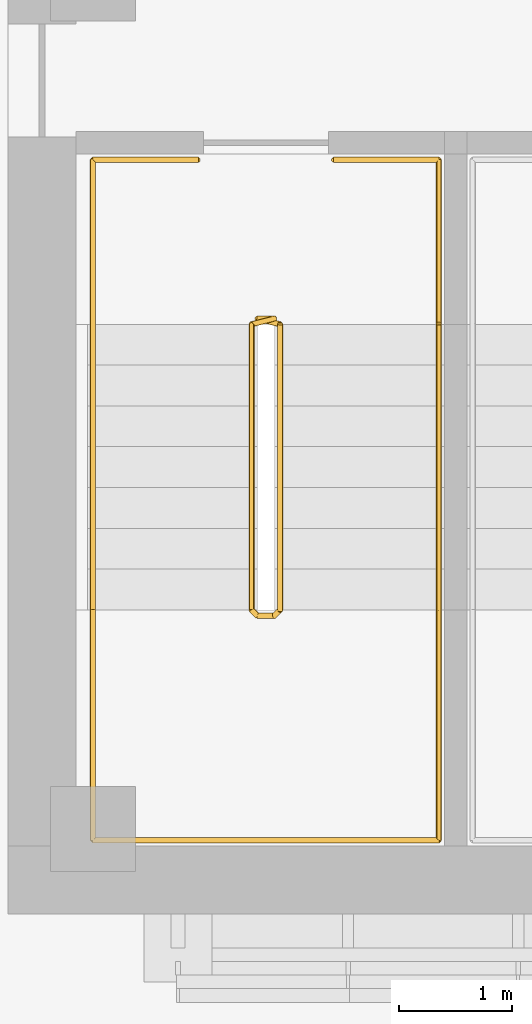
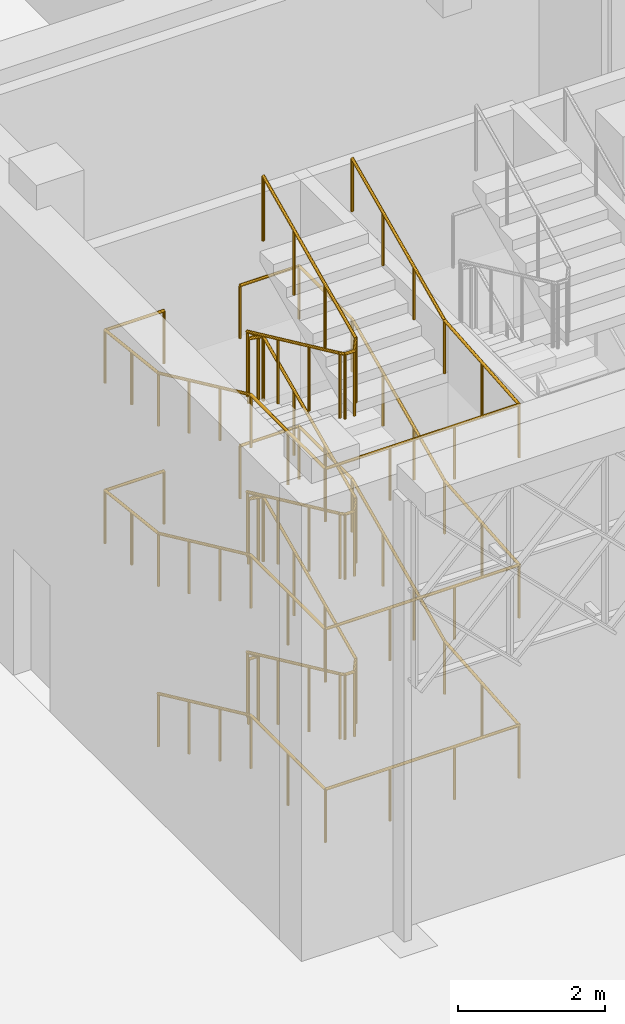
# One storey, part 46 of 64: 4 railings.
"""IFC4 building model written with IfcOpenShell, lengths in metres."""

from ifc_helpers import new_model, si_unit, direction, frame, origin, origin_2d, place, context, subcontext, project, spatial, circle, extrude, material, type_object, element, save


model = new_model("IFC4")

# Units and contexts
model_context = context("Model", 3, precision=1e-05, world=origin(), true_north=direction((0.0, 1.0)))
body_context = subcontext(model_context, "Body", "Model", "MODEL_VIEW")
ifc_project = project(units=[si_unit("LENGTHUNIT", "METRE"), si_unit("AREAUNIT", "SQUARE_METRE"), si_unit("VOLUMEUNIT", "CUBIC_METRE"), si_unit("PLANEANGLEUNIT", "RADIAN"), si_unit("MASSUNIT", "GRAM", prefix="KILO")], contexts=[model_context])

# Site, building, storey
site_placement = place(None, origin())
site = spatial("IfcSite", under=ifc_project, at=site_placement, CompositionType="ELEMENT")
building_placement = place(site_placement, origin())
building = spatial("IfcBuilding", under=site, at=building_placement, Name="Tessera Arch", CompositionType="ELEMENT")
storey_placement = place(building_placement, origin())
storey = spatial("IfcBuildingStorey", under=building, at=storey_placement, Name="L00", CompositionType="ELEMENT", Elevation=0.0)

# Railings
ifc_material_1 = material(Name="Painted steel balustrade", Category="steel")
railing_type_1 = type_object("IfcRailingType", Name="Stair guard 1100", PredefinedType="GUARDRAIL", material=ifc_material_1)
railing_1_placement = place(storey_placement, frame((-30.35009765625, -27.300048828125, 0.0)))
element("IfcRailing", 1, at=railing_1_placement, inside=storey, type_object=railing_type_1, Name="L00 M2a stair guard 1", PredefinedType="GUARDRAIL", context=body_context, shape_type="SweptSolid", body=[
    extrude(circle(Radius=0.02392578125, at=origin_2d()), frame((-0.00390625, 0.0, 1.076171875), z_axis=(1.0, 0.0, 0.0), x_axis=(0.0, 1.0, 0.0)), (0.0, 0.0, 1.0), 0.158203125),
    extrude(circle(Radius=0.02392578125, at=origin_2d()), frame((0.153076171875, 0.000732421875, 1.073486328125), z_axis=(-0.754182335027, -0.188775798145, 0.628945707965), x_axis=(0.242814311512, -0.970072785993, 0.0)), (0.0, 0.0, 1.0), 0.273193359375),
    extrude(circle(Radius=0.02392578125, at=origin_2d()), frame((-0.0498046875, -0.04638671875, 1.2412109375), z_axis=(0.0, -0.907490492863, 0.420072619153), x_axis=(1.0, 0.0, 0.0)), (0.0, 0.0, 1.0), 2.784912109375),
    extrude(circle(Radius=0.02392578125, at=origin_2d()), frame((-0.052734375, -2.567138671875, 2.4091796875), z_axis=(0.707106781187, -0.707106781187, 0.0), x_axis=(0.707106781187, 0.707106781187, 0.0)), (0.0, 0.0, 1.0), 0.078369140625),
    extrude(circle(Radius=0.02392578125, at=origin_2d()), frame((-0.00390625, -2.619873046875, 2.4091796875), z_axis=(1.0, 0.0, 0.0), x_axis=(0.0, 1.0, 0.0)), (0.0, 0.0, 1.0), 0.158203125),
    extrude(circle(Radius=0.02392578125, at=origin_2d()), frame((0.14892578125, -2.62109375, 2.405517578125), z_axis=(0.276389281352, 0.275041040955, 0.920848191041), x_axis=(-0.705375805398, 0.708833529934, 0.0)), (0.0, 0.0, 1.0), 0.18896484375),
    extrude(circle(Radius=0.02392578125, at=origin_2d()), frame((0.2001953125, -2.57373046875, 2.574462890625), z_axis=(0.0, 0.907456975791, 0.420145019115), x_axis=(-1.0, 0.0, 0.0)), (0.0, 0.0, 1.0), 2.784912109375),
    extrude(circle(Radius=0.02392578125, at=origin_2d()), frame((0.2041015625, -0.051025390625, 3.74267578125), z_axis=(-0.970142500145, 0.242535625036, 0.0), x_axis=(-0.242535625036, -0.970142500145, 0.0)), (0.0, 0.0, 1.0), 0.21435546875),
    extrude(circle(Radius=0.02392578125, at=origin_2d()), frame((-0.00390625, 0.0, 3.74267578125), z_axis=(1.0, 0.0, 0.0), x_axis=(0.0, 1.0, 0.0)), (0.0, 0.0, 1.0), 0.158203125),
    extrude(circle(Radius=0.02392578125, at=origin_2d()), frame((0.153076171875, 0.000732421875, 3.740234375), z_axis=(-0.754619193878, -0.188885146209, 0.628388632753), x_axis=(0.242814311512, -0.970072785993, 0.0)), (0.0, 0.0, 1.0), 0.27294921875),
    extrude(circle(Radius=0.02392578125, at=origin_2d()), frame((-0.0498046875, -0.04638671875, 3.90771484375), z_axis=(0.0, -0.907456975791, 0.420145019115), x_axis=(1.0, 0.0, 0.0)), (0.0, 0.0, 1.0), 2.784912109375),
    extrude(circle(Radius=0.02392578125, at=origin_2d()), frame((-0.052734375, -2.567138671875, 5.076171875), z_axis=(0.707106781187, -0.707106781187, 0.0), x_axis=(0.707106781187, 0.707106781187, 0.0)), (0.0, 0.0, 1.0), 0.078369140625),
    extrude(circle(Radius=0.02392578125, at=origin_2d()), frame((-0.00390625, -2.619873046875, 5.076171875), z_axis=(1.0, 0.0, 0.0), x_axis=(0.0, 1.0, 0.0)), (0.0, 0.0, 1.0), 0.158203125),
    extrude(circle(Radius=0.02392578125, at=origin_2d()), frame((0.14892578125, -2.62109375, 5.072265625), z_axis=(0.276389281352, 0.275041040955, 0.920848191041), x_axis=(-0.705375805398, 0.708833529934, 0.0)), (0.0, 0.0, 1.0), 0.18896484375),
    extrude(circle(Radius=0.02392578125, at=origin_2d()), frame((0.2001953125, -2.57373046875, 5.2412109375), z_axis=(0.0, 0.907490492863, 0.420072619153), x_axis=(-1.0, 0.0, 0.0)), (0.0, 0.0, 1.0), 2.784912109375),
    extrude(circle(Radius=0.02392578125, at=origin_2d()), frame((0.2041015625, -0.051025390625, 6.4091796875), z_axis=(-0.970142500145, 0.242535625036, 0.0), x_axis=(-0.242535625036, -0.970142500145, 0.0)), (0.0, 0.0, 1.0), 0.21435546875),
    extrude(circle(Radius=0.02392578125, at=origin_2d()), frame((-0.00390625, 0.0, 6.4091796875), z_axis=(1.0, 0.0, 0.0), x_axis=(0.0, 1.0, 0.0)), (0.0, 0.0, 1.0), 0.158203125),
    extrude(circle(Radius=0.02392578125, at=origin_2d()), frame((0.153076171875, 0.000732421875, 6.40673828125), z_axis=(-0.754182335027, -0.188775798145, 0.628945707965), x_axis=(0.242814311512, -0.970072785993, 0.0)), (0.0, 0.0, 1.0), 0.273193359375),
    extrude(circle(Radius=0.02392578125, at=origin_2d()), frame((-0.0498046875, -0.04638671875, 6.574462890625), z_axis=(0.0, -0.907456975791, 0.420145019115), x_axis=(1.0, 0.0, 0.0)), (0.0, 0.0, 1.0), 2.784912109375),
    extrude(circle(Radius=0.02392578125, at=origin_2d()), frame((-0.052734375, -2.567138671875, 7.74267578125), z_axis=(0.707106781187, -0.707106781187, 0.0), x_axis=(0.707106781187, 0.707106781187, 0.0)), (0.0, 0.0, 1.0), 0.078369140625),
    extrude(circle(Radius=0.02392578125, at=origin_2d()), frame((-0.00390625, -2.619873046875, 7.74267578125), z_axis=(1.0, 0.0, 0.0), x_axis=(0.0, 1.0, 0.0)), (0.0, 0.0, 1.0), 0.158203125),
    extrude(circle(Radius=0.02392578125, at=origin_2d()), frame((0.14892578125, -2.62109375, 7.739013671875), z_axis=(0.276732813696, 0.275382897532, 0.920642824102), x_axis=(-0.705375805398, 0.708833529934, 0.0)), (0.0, 0.0, 1.0), 0.18896484375),
    extrude(circle(Radius=0.02392578125, at=origin_2d()), frame((0.2001953125, -2.57373046875, 7.90771484375), z_axis=(0.0, 0.907456975791, 0.420145019115), x_axis=(-1.0, 0.0, 0.0)), (0.0, 0.0, 1.0), 2.784912109375),
    extrude(circle(Radius=0.02099609375, at=origin_2d()), origin(), (0.0, 0.0, 1.0), 1.06396484375),
    extrude(circle(Radius=0.02099609375, at=origin_2d()), frame((0.150146484375, 0.0, 0.0)), (0.0, 0.0, 1.0), 1.06396484375),
    extrude(circle(Radius=0.02099609375, at=origin_2d()), frame((-0.0498046875, -0.050048828125, 0.166748046875)), (0.0, 0.0, 1.0), 1.06396484375),
    extrude(circle(Radius=0.02099609375, at=origin_2d()), frame((-0.0498046875, -0.89013671875, 0.5556640625)), (0.0, 0.0, 1.0), 1.06396484375),
    extrude(circle(Radius=0.02099609375, at=origin_2d()), frame((-0.0498046875, -1.72998046875, 0.9443359375)), (0.0, 0.0, 1.0), 1.06396484375),
    extrude(circle(Radius=0.02099609375, at=origin_2d()), frame((-0.0498046875, -2.570068359375, 1.333251953125)), (0.0, 0.0, 1.0), 1.06396484375),
    extrude(circle(Radius=0.02099609375, at=origin_2d()), frame((0.0, -2.619873046875, 1.333251953125)), (0.0, 0.0, 1.0), 1.06396484375),
    extrude(circle(Radius=0.02099609375, at=origin_2d()), frame((0.150146484375, -2.619873046875, 1.333251953125)), (0.0, 0.0, 1.0), 1.06396484375),
    extrude(circle(Radius=0.02099609375, at=origin_2d()), frame((0.2001953125, -2.570068359375, 1.5)), (0.0, 0.0, 1.0), 1.06396484375),
    extrude(circle(Radius=0.02099609375, at=origin_2d()), frame((0.2001953125, -1.72998046875, 1.888916015625)), (0.0, 0.0, 1.0), 1.06396484375),
    extrude(circle(Radius=0.02099609375, at=origin_2d()), frame((0.2001953125, -0.89013671875, 2.27783203125)), (0.0, 0.0, 1.0), 1.06396484375),
    extrude(circle(Radius=0.02099609375, at=origin_2d()), frame((0.2001953125, -0.050048828125, 2.666748046875)), (0.0, 0.0, 1.0), 1.06396484375),
    extrude(circle(Radius=0.02099609375, at=origin_2d()), frame((0.0, 0.0, 2.666748046875)), (0.0, 0.0, 1.0), 1.06396484375),
    extrude(circle(Radius=0.02099609375, at=origin_2d()), frame((0.150146484375, 0.0, 2.666748046875)), (0.0, 0.0, 1.0), 1.06396484375),
    extrude(circle(Radius=0.02099609375, at=origin_2d()), frame((-0.0498046875, -0.050048828125, 2.833251953125)), (0.0, 0.0, 1.0), 1.06396484375),
    extrude(circle(Radius=0.02099609375, at=origin_2d()), frame((-0.0498046875, -0.89013671875, 3.22216796875)), (0.0, 0.0, 1.0), 1.06396484375),
    extrude(circle(Radius=0.02099609375, at=origin_2d()), frame((-0.0498046875, -1.72998046875, 3.611083984375)), (0.0, 0.0, 1.0), 1.06396484375),
    extrude(circle(Radius=0.02099609375, at=origin_2d()), frame((-0.0498046875, -2.570068359375, 4.0)), (0.0, 0.0, 1.0), 1.06396484375),
    extrude(circle(Radius=0.02099609375, at=origin_2d()), frame((0.0, -2.619873046875, 4.0)), (0.0, 0.0, 1.0), 1.06396484375),
    extrude(circle(Radius=0.02099609375, at=origin_2d()), frame((0.150146484375, -2.619873046875, 4.0)), (0.0, 0.0, 1.0), 1.06396484375),
    extrude(circle(Radius=0.02099609375, at=origin_2d()), frame((0.2001953125, -2.570068359375, 4.166748046875)), (0.0, 0.0, 1.0), 1.06396484375),
    extrude(circle(Radius=0.02099609375, at=origin_2d()), frame((0.2001953125, -1.72998046875, 4.5556640625)), (0.0, 0.0, 1.0), 1.06396484375),
    extrude(circle(Radius=0.02099609375, at=origin_2d()), frame((0.2001953125, -0.89013671875, 4.9443359375)), (0.0, 0.0, 1.0), 1.06396484375),
    extrude(circle(Radius=0.02099609375, at=origin_2d()), frame((0.2001953125, -0.050048828125, 5.333251953125)), (0.0, 0.0, 1.0), 1.06396484375),
    extrude(circle(Radius=0.02099609375, at=origin_2d()), frame((0.0, 0.0, 5.333251953125)), (0.0, 0.0, 1.0), 1.06396484375),
    extrude(circle(Radius=0.02099609375, at=origin_2d()), frame((0.150146484375, 0.0, 5.333251953125)), (0.0, 0.0, 1.0), 1.06396484375),
    extrude(circle(Radius=0.02099609375, at=origin_2d()), frame((-0.0498046875, -0.050048828125, 5.5)), (0.0, 0.0, 1.0), 1.06396484375),
    extrude(circle(Radius=0.02099609375, at=origin_2d()), frame((-0.0498046875, -0.89013671875, 5.888916015625)), (0.0, 0.0, 1.0), 1.06396484375),
    extrude(circle(Radius=0.02099609375, at=origin_2d()), frame((-0.0498046875, -1.72998046875, 6.27783203125)), (0.0, 0.0, 1.0), 1.06396484375),
    extrude(circle(Radius=0.02099609375, at=origin_2d()), frame((-0.0498046875, -2.570068359375, 6.666748046875)), (0.0, 0.0, 1.0), 1.06396484375),
    extrude(circle(Radius=0.02099609375, at=origin_2d()), frame((0.0, -2.619873046875, 6.666748046875)), (0.0, 0.0, 1.0), 1.06396484375),
    extrude(circle(Radius=0.02099609375, at=origin_2d()), frame((0.150146484375, -2.619873046875, 6.666748046875)), (0.0, 0.0, 1.0), 1.06396484375),
    extrude(circle(Radius=0.02099609375, at=origin_2d()), frame((0.2001953125, -2.570068359375, 6.833251953125)), (0.0, 0.0, 1.0), 1.06396484375),
    extrude(circle(Radius=0.02099609375, at=origin_2d()), frame((0.2001953125, -1.72998046875, 7.22216796875)), (0.0, 0.0, 1.0), 1.06396484375),
    extrude(circle(Radius=0.02099609375, at=origin_2d()), frame((0.2001953125, -0.89013671875, 7.611083984375)), (0.0, 0.0, 1.0), 1.06396484375),
    extrude(circle(Radius=0.02099609375, at=origin_2d()), frame((0.2001953125, -0.050048828125, 8.0)), (0.0, 0.0, 1.0), 1.06396484375),
])
ifc_material_2 = material(Name="Painted steel handrail", Category="steel")
railing_type_2 = type_object("IfcRailingType", Name="Stair handrail 900", PredefinedType="HANDRAIL", material=ifc_material_2)
railing_2_placement = place(storey_placement, frame((-31.800048828125, -27.35009765625, 0.166748046875)))
element("IfcRailing", 2, at=railing_2_placement, inside=storey, type_object=railing_type_2, Name="L00 M2a stair handrail", PredefinedType="HANDRAIL", context=body_context, shape_type="SweptSolid", body=[
    extrude(circle(Radius=0.02392578125, at=origin_2d()), frame((0.0, 0.003662109375, 0.874267578125), z_axis=(0.0, -0.907490492863, 0.420072619153), x_axis=(1.0, 0.0, 0.0)), (0.0, 0.0, 1.0), 2.784912109375),
    extrude(circle(Radius=0.02392578125, at=origin_2d()), frame((0.0, -2.51611328125, 2.04248046875), z_axis=(0.0, -1.0, 0.0), x_axis=(1.0, 0.0, 0.0)), (0.0, 0.0, 1.0), 2.037841796875),
    extrude(circle(Radius=0.02392578125, at=origin_2d()), frame((-0.00390625, -4.5498046875, 2.04248046875), z_axis=(1.0, 0.0, 0.0), x_axis=(0.0, 1.0, 0.0)), (0.0, 0.0, 1.0), 3.05810546875),
    extrude(circle(Radius=0.02392578125, at=origin_2d()), frame((3.050048828125, -4.5537109375, 2.0419921875), z_axis=(0.0, 0.996642624298, 0.081874778975), x_axis=(-1.0, 0.0, 0.0)), (0.0, 0.0, 1.0), 2.044677734375),
    extrude(circle(Radius=0.02392578125, at=origin_2d()), frame((3.050048828125, -2.523681640625, 2.20751953125), z_axis=(0.0, 0.907456975791, 0.420145019115), x_axis=(-1.0, 0.0, 0.0)), (0.0, 0.0, 1.0), 2.784912109375),
    extrude(circle(Radius=0.02392578125, at=origin_2d()), frame((3.050048828125, -0.00390625, 3.3759765625), z_axis=(0.0, 1.0, 0.0), x_axis=(-1.0, 0.0, 0.0)), (0.0, 0.0, 1.0), 1.458251953125),
    extrude(circle(Radius=0.02392578125, at=origin_2d()), frame((3.053955078125, 1.4501953125, 3.3759765625), z_axis=(-1.0, 0.0, 0.0), x_axis=(0.0, -1.0, 0.0)), (0.0, 0.0, 1.0), 0.93310546875),
    extrude(circle(Radius=0.02099609375, at=origin_2d()), origin(), (0.0, 0.0, 1.0), 0.86376953125),
    extrude(circle(Radius=0.02099609375, at=origin_2d()), frame((0.0, -0.840087890625, 0.388916015625)), (0.0, 0.0, 1.0), 0.86376953125),
    extrude(circle(Radius=0.02099609375, at=origin_2d()), frame((0.0, -1.679931640625, 0.777587890625)), (0.0, 0.0, 1.0), 0.86376953125),
    extrude(circle(Radius=0.02099609375, at=origin_2d()), frame((0.0, -2.52001953125, 1.16650390625)), (0.0, 0.0, 1.0), 0.86376953125),
    extrude(circle(Radius=0.02099609375, at=origin_2d()), frame((0.0, -3.534912109375, 1.16650390625)), (0.0, 0.0, 1.0), 0.86376953125),
    extrude(circle(Radius=0.02099609375, at=origin_2d()), frame((0.0, -4.5498046875, 1.16650390625)), (0.0, 0.0, 1.0), 0.86376953125),
    extrude(circle(Radius=0.02099609375, at=origin_2d()), frame((1.0166015625, -4.5498046875, 1.16650390625)), (0.0, 0.0, 1.0), 0.86376953125),
    extrude(circle(Radius=0.02099609375, at=origin_2d()), frame((2.033447265625, -4.5498046875, 1.16650390625)), (0.0, 0.0, 1.0), 0.86376953125),
    extrude(circle(Radius=0.02099609375, at=origin_2d()), frame((3.050048828125, -4.5498046875, 1.16650390625)), (0.0, 0.0, 1.0), 0.86376953125),
    extrude(circle(Radius=0.02099609375, at=origin_2d()), frame((3.050048828125, -3.534912109375, 1.25)), (0.0, 0.0, 1.0), 0.86376953125),
    extrude(circle(Radius=0.02099609375, at=origin_2d()), frame((3.050048828125, -2.52001953125, 1.333251953125)), (0.0, 0.0, 1.0), 0.86376953125),
    extrude(circle(Radius=0.02099609375, at=origin_2d()), frame((3.050048828125, -1.679931640625, 1.72216796875)), (0.0, 0.0, 1.0), 0.86376953125),
    extrude(circle(Radius=0.02099609375, at=origin_2d()), frame((3.050048828125, -0.840087890625, 2.111083984375)), (0.0, 0.0, 1.0), 0.86376953125),
    extrude(circle(Radius=0.02099609375, at=origin_2d()), frame((3.050048828125, 0.0, 2.5)), (0.0, 0.0, 1.0), 0.86376953125),
    extrude(circle(Radius=0.02099609375, at=origin_2d()), frame((3.050048828125, 0.72509765625, 2.5)), (0.0, 0.0, 1.0), 0.86376953125),
    extrude(circle(Radius=0.02099609375, at=origin_2d()), frame((3.050048828125, 1.4501953125, 2.5)), (0.0, 0.0, 1.0), 0.86376953125),
    extrude(circle(Radius=0.02099609375, at=origin_2d()), frame((2.125, 1.4501953125, 2.5)), (0.0, 0.0, 1.0), 0.86376953125),
])
railing_3_placement = place(storey_placement, frame((-30.875, -25.89990234375, 2.666748046875)))
element("IfcRailing", 3, at=railing_3_placement, inside=storey, type_object=railing_type_2, Name="L00 M2a stair handrail 2", PredefinedType="HANDRAIL", context=body_context, shape_type="SweptSolid", body=[
    extrude(circle(Radius=0.02392578125, at=origin_2d()), frame((0.00390625, 0.0, 0.8759765625), z_axis=(-1.0, 0.0, 0.0), x_axis=(0.0, -1.0, 0.0)), (0.0, 0.0, 1.0), 0.93310546875),
    extrude(circle(Radius=0.02392578125, at=origin_2d()), frame((-0.925048828125, 0.00390625, 0.87548828125), z_axis=(0.0, -0.993473237723, 0.114065445813), x_axis=(1.0, 0.0, 0.0)), (0.0, 0.0, 1.0), 1.4677734375),
    extrude(circle(Radius=0.02392578125, at=origin_2d()), frame((-0.925048828125, -1.446533203125, 1.040771484375), z_axis=(0.0, -0.907456975791, 0.420145019115), x_axis=(1.0, 0.0, 0.0)), (0.0, 0.0, 1.0), 2.784912109375),
    extrude(circle(Radius=0.02392578125, at=origin_2d()), frame((-0.925048828125, -3.96630859375, 2.208984375), z_axis=(0.0, -1.0, 0.0), x_axis=(1.0, 0.0, 0.0)), (0.0, 0.0, 1.0), 2.037841796875),
    extrude(circle(Radius=0.02392578125, at=origin_2d()), frame((-0.928955078125, -6.0, 2.208984375), z_axis=(1.0, 0.0, 0.0), x_axis=(0.0, 1.0, 0.0)), (0.0, 0.0, 1.0), 3.05810546875),
    extrude(circle(Radius=0.02392578125, at=origin_2d()), frame((2.125, -6.00390625, 2.208740234375), z_axis=(0.0, 0.996642624298, 0.081874778975), x_axis=(-1.0, 0.0, 0.0)), (0.0, 0.0, 1.0), 2.044677734375),
    extrude(circle(Radius=0.02392578125, at=origin_2d()), frame((2.125, -3.973876953125, 2.374267578125), z_axis=(0.0, 0.907490492863, 0.420072619153), x_axis=(-1.0, 0.0, 0.0)), (0.0, 0.0, 1.0), 2.784912109375),
    extrude(circle(Radius=0.02392578125, at=origin_2d()), frame((2.125, -1.4541015625, 3.54248046875), z_axis=(0.0, 1.0, 0.0), x_axis=(-1.0, 0.0, 0.0)), (0.0, 0.0, 1.0), 1.458251953125),
    extrude(circle(Radius=0.02392578125, at=origin_2d()), frame((2.12890625, 0.0, 3.54248046875), z_axis=(-1.0, 0.0, 0.0), x_axis=(0.0, -1.0, 0.0)), (0.0, 0.0, 1.0), 0.93310546875),
    extrude(circle(Radius=0.02099609375, at=origin_2d()), origin(), (0.0, 0.0, 1.0), 0.86376953125),
    extrude(circle(Radius=0.02099609375, at=origin_2d()), frame((-0.925048828125, 0.0, 0.0)), (0.0, 0.0, 1.0), 0.86376953125),
    extrude(circle(Radius=0.02099609375, at=origin_2d()), frame((-0.925048828125, -0.72509765625, 0.083251953125)), (0.0, 0.0, 1.0), 0.86376953125),
    extrude(circle(Radius=0.02099609375, at=origin_2d()), frame((-0.925048828125, -1.4501953125, 0.16650390625)), (0.0, 0.0, 1.0), 0.86376953125),
    extrude(circle(Radius=0.02099609375, at=origin_2d()), frame((-0.925048828125, -2.290283203125, 0.555419921875)), (0.0, 0.0, 1.0), 0.86376953125),
    extrude(circle(Radius=0.02099609375, at=origin_2d()), frame((-0.925048828125, -3.130126953125, 0.9443359375)), (0.0, 0.0, 1.0), 0.86376953125),
    extrude(circle(Radius=0.02099609375, at=origin_2d()), frame((-0.925048828125, -3.97021484375, 1.333251953125)), (0.0, 0.0, 1.0), 0.86376953125),
    extrude(circle(Radius=0.02099609375, at=origin_2d()), frame((-0.925048828125, -4.985107421875, 1.333251953125)), (0.0, 0.0, 1.0), 0.86376953125),
    extrude(circle(Radius=0.02099609375, at=origin_2d()), frame((-0.925048828125, -6.0, 1.333251953125)), (0.0, 0.0, 1.0), 0.86376953125),
    extrude(circle(Radius=0.02099609375, at=origin_2d()), frame((0.091552734375, -6.0, 1.333251953125)), (0.0, 0.0, 1.0), 0.86376953125),
    extrude(circle(Radius=0.02099609375, at=origin_2d()), frame((1.1083984375, -6.0, 1.333251953125)), (0.0, 0.0, 1.0), 0.86376953125),
    extrude(circle(Radius=0.02099609375, at=origin_2d()), frame((2.125, -6.0, 1.333251953125)), (0.0, 0.0, 1.0), 0.86376953125),
    extrude(circle(Radius=0.02099609375, at=origin_2d()), frame((2.125, -4.985107421875, 1.41650390625)), (0.0, 0.0, 1.0), 0.86376953125),
    extrude(circle(Radius=0.02099609375, at=origin_2d()), frame((2.125, -3.97021484375, 1.5)), (0.0, 0.0, 1.0), 0.86376953125),
    extrude(circle(Radius=0.02099609375, at=origin_2d()), frame((2.125, -3.130126953125, 1.888916015625)), (0.0, 0.0, 1.0), 0.86376953125),
    extrude(circle(Radius=0.02099609375, at=origin_2d()), frame((2.125, -2.290283203125, 2.277587890625)), (0.0, 0.0, 1.0), 0.86376953125),
    extrude(circle(Radius=0.02099609375, at=origin_2d()), frame((2.125, -1.4501953125, 2.66650390625)), (0.0, 0.0, 1.0), 0.86376953125),
    extrude(circle(Radius=0.02099609375, at=origin_2d()), frame((2.125, -0.72509765625, 2.66650390625)), (0.0, 0.0, 1.0), 0.86376953125),
    extrude(circle(Radius=0.02099609375, at=origin_2d()), frame((2.125, 0.0, 2.66650390625)), (0.0, 0.0, 1.0), 0.86376953125),
    extrude(circle(Radius=0.02099609375, at=origin_2d()), frame((1.199951171875, 0.0, 2.66650390625)), (0.0, 0.0, 1.0), 0.86376953125),
])
railing_4_placement = place(storey_placement, frame((-30.875, -25.89990234375, 5.333251953125)))
element("IfcRailing", 4, at=railing_4_placement, inside=storey, type_object=railing_type_2, Name="L00 M2a stair handrail 3", PredefinedType="HANDRAIL", context=body_context, shape_type="SweptSolid", body=[
    extrude(circle(Radius=0.02392578125, at=origin_2d()), frame((0.00390625, 0.0, 0.8759765625), z_axis=(-1.0, 0.0, 0.0), x_axis=(0.0, -1.0, 0.0)), (0.0, 0.0, 1.0), 0.93310546875),
    extrude(circle(Radius=0.02392578125, at=origin_2d()), frame((-0.925048828125, 0.00390625, 0.87548828125), z_axis=(0.0, -0.993454271282, 0.114230516378), x_axis=(1.0, 0.0, 0.0)), (0.0, 0.0, 1.0), 1.4677734375),
    extrude(circle(Radius=0.02392578125, at=origin_2d()), frame((-0.925048828125, -1.446533203125, 1.041015625), z_axis=(0.0, -0.907456975791, 0.420145019115), x_axis=(1.0, 0.0, 0.0)), (0.0, 0.0, 1.0), 2.784912109375),
    extrude(circle(Radius=0.02392578125, at=origin_2d()), frame((-0.925048828125, -3.96630859375, 2.20947265625), z_axis=(0.0, -1.0, 0.0), x_axis=(1.0, 0.0, 0.0)), (0.0, 0.0, 1.0), 2.037841796875),
    extrude(circle(Radius=0.02392578125, at=origin_2d()), frame((-0.928955078125, -6.0, 2.20947265625), z_axis=(1.0, 0.0, 0.0), x_axis=(0.0, 1.0, 0.0)), (0.0, 0.0, 1.0), 3.05810546875),
    extrude(circle(Radius=0.02392578125, at=origin_2d()), frame((2.125, -6.00390625, 2.208984375), z_axis=(0.0, 0.996652399087, 0.081755705578), x_axis=(-1.0, 0.0, 0.0)), (0.0, 0.0, 1.0), 2.044677734375),
    extrude(circle(Radius=0.02392578125, at=origin_2d()), frame((2.125, -3.973876953125, 2.374267578125), z_axis=(0.0, 0.907456975791, 0.420145019115), x_axis=(-1.0, 0.0, 0.0)), (0.0, 0.0, 1.0), 2.784912109375),
    extrude(circle(Radius=0.02099609375, at=origin_2d()), origin(), (0.0, 0.0, 1.0), 0.86376953125),
    extrude(circle(Radius=0.02099609375, at=origin_2d()), frame((-0.925048828125, 0.0, 0.0)), (0.0, 0.0, 1.0), 0.86376953125),
    extrude(circle(Radius=0.02099609375, at=origin_2d()), frame((-0.925048828125, -0.72509765625, 0.08349609375)), (0.0, 0.0, 1.0), 0.86376953125),
    extrude(circle(Radius=0.02099609375, at=origin_2d()), frame((-0.925048828125, -1.4501953125, 0.166748046875)), (0.0, 0.0, 1.0), 0.86376953125),
    extrude(circle(Radius=0.02099609375, at=origin_2d()), frame((-0.925048828125, -2.290283203125, 0.5556640625)), (0.0, 0.0, 1.0), 0.86376953125),
    extrude(circle(Radius=0.02099609375, at=origin_2d()), frame((-0.925048828125, -3.130126953125, 0.944580078125)), (0.0, 0.0, 1.0), 0.86376953125),
    extrude(circle(Radius=0.02099609375, at=origin_2d()), frame((-0.925048828125, -3.97021484375, 1.33349609375)), (0.0, 0.0, 1.0), 0.86376953125),
    extrude(circle(Radius=0.02099609375, at=origin_2d()), frame((-0.925048828125, -4.985107421875, 1.33349609375)), (0.0, 0.0, 1.0), 0.86376953125),
    extrude(circle(Radius=0.02099609375, at=origin_2d()), frame((-0.925048828125, -6.0, 1.33349609375)), (0.0, 0.0, 1.0), 0.86376953125),
    extrude(circle(Radius=0.02099609375, at=origin_2d()), frame((0.091552734375, -6.0, 1.33349609375)), (0.0, 0.0, 1.0), 0.86376953125),
    extrude(circle(Radius=0.02099609375, at=origin_2d()), frame((1.1083984375, -6.0, 1.33349609375)), (0.0, 0.0, 1.0), 0.86376953125),
    extrude(circle(Radius=0.02099609375, at=origin_2d()), frame((2.125, -6.0, 1.33349609375)), (0.0, 0.0, 1.0), 0.86376953125),
    extrude(circle(Radius=0.02099609375, at=origin_2d()), frame((2.125, -4.985107421875, 1.416748046875)), (0.0, 0.0, 1.0), 0.86376953125),
    extrude(circle(Radius=0.02099609375, at=origin_2d()), frame((2.125, -3.97021484375, 1.5)), (0.0, 0.0, 1.0), 0.86376953125),
    extrude(circle(Radius=0.02099609375, at=origin_2d()), frame((2.125, -3.130126953125, 1.888916015625)), (0.0, 0.0, 1.0), 0.86376953125),
    extrude(circle(Radius=0.02099609375, at=origin_2d()), frame((2.125, -2.290283203125, 2.27783203125)), (0.0, 0.0, 1.0), 0.86376953125),
    extrude(circle(Radius=0.02099609375, at=origin_2d()), frame((2.125, -1.4501953125, 2.666748046875)), (0.0, 0.0, 1.0), 0.86376953125),
])

save(model, "model.ifc")
